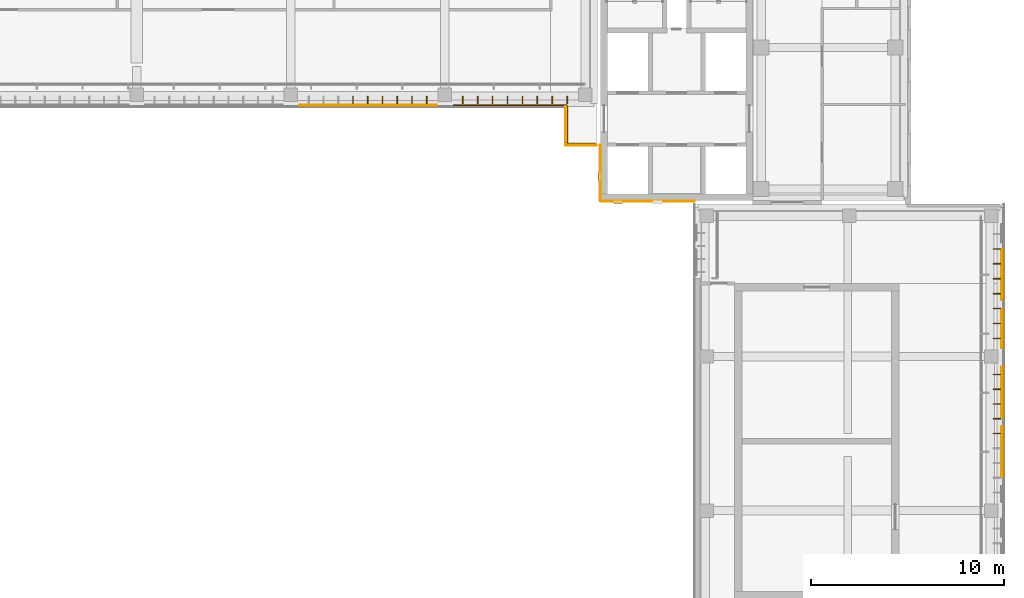
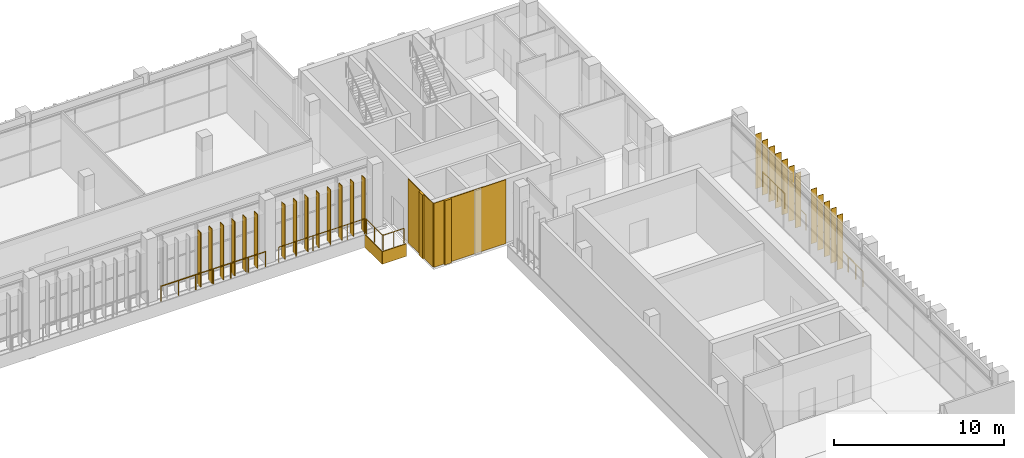
# One storey, part 71 of 73: 26 shading devices, 6 coverings, 6 railings.
"""IFC4 building model written with IfcOpenShell, lengths in metres."""

from ifc_helpers import new_model, si_unit, direction, frame, frame_2d, origin, origin_2d, place, context, subcontext, project, spatial, rectangle, circle, extrude, material, layer, layer_set, type_object, element, save


model = new_model("IFC4")

# Units and contexts
model_context = context("Model", 3, precision=1e-05, world=origin(), true_north=direction((0.0, 1.0)))
body_context = subcontext(model_context, "Body", "Model", "MODEL_VIEW")
ifc_project = project(units=[si_unit("LENGTHUNIT", "METRE"), si_unit("AREAUNIT", "SQUARE_METRE"), si_unit("VOLUMEUNIT", "CUBIC_METRE"), si_unit("PLANEANGLEUNIT", "RADIAN"), si_unit("MASSUNIT", "GRAM", prefix="KILO")], contexts=[model_context])

# Site, building, storey
site_placement = place(None, origin())
site = spatial("IfcSite", under=ifc_project, at=site_placement, CompositionType="ELEMENT")
building_placement = place(site_placement, origin())
building = spatial("IfcBuilding", under=site, at=building_placement, Name="Lantern Court Media Centre", CompositionType="ELEMENT")
storey_placement = place(building_placement, frame((0.0, 0.0, 24.0)))
storey = spatial("IfcBuildingStorey", under=building, at=storey_placement, Name="L05", CompositionType="ELEMENT", Elevation=24.0)

# Railings
ifc_material_1 = material(Name="Powder-coated steel", Category="steel")
railing_type = type_object("IfcRailingType", Name="Floor edge guard 1100", PredefinedType="GUARDRAIL", material=ifc_material_1)
railing_1_placement = place(storey_placement, frame((71.576904296875, 101.06005859375, 0.0)))
element("IfcRailing", 1, at=railing_1_placement, inside=storey, type_object=railing_type, Name="L05 edge guard 185", PredefinedType="GUARDRAIL", context=body_context, shape_type="SweptSolid", body=[
    extrude(circle(Radius=0.02392578125, at=origin_2d()), frame((0.0, 0.0, 1.076171875), z_axis=(-1.0, 0.0, 0.0), x_axis=(0.0, -1.0, 0.0)), (0.0, 0.0, 1.0), 7.097900390625),
    extrude(circle(Radius=0.02099609375, at=origin_2d()), origin(), (0.0, 0.0, 1.0), 1.052001953125),
    extrude(circle(Radius=0.02099609375, at=origin_2d()), frame((-1.18310546875, 0.0, 0.0)), (0.0, 0.0, 1.0), 1.052001953125),
    extrude(circle(Radius=0.02099609375, at=origin_2d()), frame((-2.365966796875, 0.0, 0.0)), (0.0, 0.0, 1.0), 1.052001953125),
    extrude(circle(Radius=0.02099609375, at=origin_2d()), frame((-3.548828125, 0.0, 0.0)), (0.0, 0.0, 1.0), 1.052001953125),
    extrude(circle(Radius=0.02099609375, at=origin_2d()), frame((-4.73193359375, 0.0, 0.0)), (0.0, 0.0, 1.0), 1.052001953125),
    extrude(circle(Radius=0.02099609375, at=origin_2d()), frame((-5.9150390625, 0.0, 0.0)), (0.0, 0.0, 1.0), 1.052001953125),
    extrude(circle(Radius=0.02099609375, at=origin_2d()), frame((-7.097900390625, 0.0, 0.0)), (0.0, 0.0, 1.0), 1.052001953125),
])
railing_2_placement = place(storey_placement, frame((79.803955078125, 99.06005859375, 0.0)))
element("IfcRailing", 2, at=railing_2_placement, inside=storey, type_object=railing_type, Name="L05 edge guard 188", PredefinedType="GUARDRAIL", context=body_context, shape_type="SweptSolid", body=[
    extrude(circle(Radius=0.02392578125, at=origin_2d()), frame((0.0, 0.0, 1.076171875), z_axis=(-1.0, 0.0, 0.0), x_axis=(0.0, -1.0, 0.0)), (0.0, 0.0, 1.0), 1.39892578125),
    extrude(circle(Radius=0.02392578125, at=origin_2d()), frame((-1.39892578125, 0.0, 1.076171875), z_axis=(-0.626354171064, 0.779538615074, 0.0), x_axis=(-0.779538615074, -0.626354171064, 0.0)), (0.0, 0.0, 1.0), 0.07177734375),
    extrude(circle(Radius=0.02392578125, at=origin_2d()), frame((-1.44384765625, 0.055908203125, 1.076171875), z_axis=(0.0, 1.0, 0.0), x_axis=(-1.0, 0.0, 0.0)), (0.0, 0.0, 1.0), 1.799072265625),
    extrude(circle(Radius=0.02392578125, at=origin_2d()), frame((-1.44384765625, 1.85498046875, 1.076171875), z_axis=(-0.0415289343, 0.999137301684, 0.0), x_axis=(-0.999137301684, -0.0415289343, 0.0)), (0.0, 0.0, 1.0), 0.099853515625),
    extrude(circle(Radius=0.02392578125, at=origin_2d()), frame((-1.447998046875, 1.954833984375, 1.076171875), z_axis=(-0.873536012347, 0.486759524953, 0.0), x_axis=(-0.486759524953, -0.873536012347, 0.0)), (0.0, 0.0, 1.0), 0.0927734375),
    extrude(circle(Radius=0.02392578125, at=origin_2d()), frame((-1.529052734375, 2.0, 1.076171875), z_axis=(-1.0, 0.0, 0.0), x_axis=(0.0, -1.0, 0.0)), (0.0, 0.0, 1.0), 5.7978515625),
    extrude(circle(Radius=0.02099609375, at=origin_2d()), origin(), (0.0, 0.0, 1.0), 1.052001953125),
    extrude(circle(Radius=0.02099609375, at=origin_2d()), frame((-0.699462890625, 0.0, 0.0)), (0.0, 0.0, 1.0), 1.052001953125),
    extrude(circle(Radius=0.02099609375, at=origin_2d()), frame((-1.39892578125, 0.0, 0.0)), (0.0, 0.0, 1.0), 1.052001953125),
    extrude(circle(Radius=0.02099609375, at=origin_2d()), frame((-1.44384765625, 0.055908203125, 0.0)), (0.0, 0.0, 1.0), 1.052001953125),
    extrude(circle(Radius=0.02099609375, at=origin_2d()), frame((-1.44384765625, 0.95556640625, 0.0)), (0.0, 0.0, 1.0), 1.052001953125),
    extrude(circle(Radius=0.02099609375, at=origin_2d()), frame((-1.44384765625, 1.85498046875, 0.0)), (0.0, 0.0, 1.0), 1.052001953125),
    extrude(circle(Radius=0.02099609375, at=origin_2d()), frame((-1.447998046875, 1.954833984375, 0.0)), (0.0, 0.0, 1.0), 1.052001953125),
    extrude(circle(Radius=0.02099609375, at=origin_2d()), frame((-1.529052734375, 2.0, 0.0)), (0.0, 0.0, 1.0), 1.052001953125),
    extrude(circle(Radius=0.02099609375, at=origin_2d()), frame((-2.688720703125, 2.0, 0.0)), (0.0, 0.0, 1.0), 1.052001953125),
    extrude(circle(Radius=0.02099609375, at=origin_2d()), frame((-3.84814453125, 2.0, 0.0)), (0.0, 0.0, 1.0), 1.052001953125),
    extrude(circle(Radius=0.02099609375, at=origin_2d()), frame((-5.0078125, 2.0, 0.0)), (0.0, 0.0, 1.0), 1.052001953125),
    extrude(circle(Radius=0.02099609375, at=origin_2d()), frame((-6.167236328125, 2.0, 0.0)), (0.0, 0.0, 1.0), 1.052001953125),
    extrude(circle(Radius=0.02099609375, at=origin_2d()), frame((-7.326904296875, 2.0, 0.0)), (0.0, 0.0, 1.0), 1.052001953125),
])
railing_3_placement = place(storey_placement, frame((100.93994140625, 93.5419921875, 0.0)))
element("IfcRailing", 3, at=railing_3_placement, inside=storey, type_object=railing_type, Name="L05 edge guard 196", PredefinedType="GUARDRAIL", context=body_context, shape_type="SweptSolid", body=[
    extrude(circle(Radius=0.02392578125, at=origin_2d()), frame((0.0, 0.0, 1.076171875), z_axis=(0.0, -1.0, 0.0), x_axis=(1.0, 0.0, 0.0)), (0.0, 0.0, 1.0), 2.597900390625),
    extrude(circle(Radius=0.02099609375, at=origin_2d()), origin(), (0.0, 0.0, 1.0), 1.052001953125),
    extrude(circle(Radius=0.02099609375, at=origin_2d()), frame((0.0, -0.865966796875, 0.0)), (0.0, 0.0, 1.0), 1.052001953125),
    extrude(circle(Radius=0.02099609375, at=origin_2d()), frame((0.0, -1.73193359375, 0.0)), (0.0, 0.0, 1.0), 1.052001953125),
    extrude(circle(Radius=0.02099609375, at=origin_2d()), frame((0.0, -2.597900390625, 0.0)), (0.0, 0.0, 1.0), 1.052001953125),
])
railing_4_placement = place(storey_placement, frame((100.93994140625, 90.444091796875, 0.0)))
element("IfcRailing", 4, at=railing_4_placement, inside=storey, type_object=railing_type, Name="L05 edge guard 197", PredefinedType="GUARDRAIL", context=body_context, shape_type="SweptSolid", body=[
    extrude(circle(Radius=0.02392578125, at=origin_2d()), frame((0.0, 0.0, 1.076171875), z_axis=(0.0, -1.0, 0.0), x_axis=(1.0, 0.0, 0.0)), (0.0, 0.0, 1.0), 1.998046875),
    extrude(circle(Radius=0.02099609375, at=origin_2d()), origin(), (0.0, 0.0, 1.0), 1.052001953125),
    extrude(circle(Radius=0.02099609375, at=origin_2d()), frame((0.0, -0.9990234375, 0.0)), (0.0, 0.0, 1.0), 1.052001953125),
    extrude(circle(Radius=0.02099609375, at=origin_2d()), frame((0.0, -1.998046875, 0.0)), (0.0, 0.0, 1.0), 1.052001953125),
])
railing_5_placement = place(storey_placement, frame((100.93994140625, 87.447021484375, 0.0)))
element("IfcRailing", 5, at=railing_5_placement, inside=storey, type_object=railing_type, Name="L05 edge guard 198", PredefinedType="GUARDRAIL", context=body_context, shape_type="SweptSolid", body=[
    extrude(circle(Radius=0.02392578125, at=origin_2d()), frame((0.0, 0.0, 1.076171875), z_axis=(0.0, -1.0, 0.0), x_axis=(1.0, 0.0, 0.0)), (0.0, 0.0, 1.0), 2.597900390625),
    extrude(circle(Radius=0.02099609375, at=origin_2d()), origin(), (0.0, 0.0, 1.0), 1.052001953125),
    extrude(circle(Radius=0.02099609375, at=origin_2d()), frame((0.0, -0.865966796875, 0.0)), (0.0, 0.0, 1.0), 1.052001953125),
    extrude(circle(Radius=0.02099609375, at=origin_2d()), frame((0.0, -1.73193359375, 0.0)), (0.0, 0.0, 1.0), 1.052001953125),
    extrude(circle(Radius=0.02099609375, at=origin_2d()), frame((0.0, -2.597900390625, 0.0)), (0.0, 0.0, 1.0), 1.052001953125),
])
railing_6_placement = place(storey_placement, frame((100.93994140625, 84.35009765625, 0.0)))
element("IfcRailing", 6, at=railing_6_placement, inside=storey, type_object=railing_type, Name="L05 edge guard 199", PredefinedType="GUARDRAIL", context=body_context, shape_type="SweptSolid", body=[
    extrude(circle(Radius=0.02392578125, at=origin_2d()), frame((0.0, 0.0, 1.076171875), z_axis=(0.0, -1.0, 0.0), x_axis=(1.0, 0.0, 0.0)), (0.0, 0.0, 1.0), 2.59814453125),
    extrude(circle(Radius=0.02099609375, at=origin_2d()), origin(), (0.0, 0.0, 1.0), 1.052001953125),
    extrude(circle(Radius=0.02099609375, at=origin_2d()), frame((0.0, -0.865966796875, 0.0)), (0.0, 0.0, 1.0), 1.052001953125),
    extrude(circle(Radius=0.02099609375, at=origin_2d()), frame((0.0, -1.732177734375, 0.0)), (0.0, 0.0, 1.0), 1.052001953125),
    extrude(circle(Radius=0.02099609375, at=origin_2d()), frame((0.0, -2.59814453125, 0.0)), (0.0, 0.0, 1.0), 1.052001953125),
])

# Coverings
ifc_material_2 = material(Name="White glass-fibre reinforced cement cladding", Category="concrete")
ifc_layer_1 = layer(ifc_material_2, 0.050048828125)
ifc_layer_set_1 = layer_set([ifc_layer_1], Name="White glass-fibre reinforced cement cladding")
covering_type_1 = type_object("IfcCoveringType", Name="Floor-edge band 50", PredefinedType="CLADDING", material=ifc_layer_set_1)
covering_1_placement = place(storey_placement, frame((78.300048828125, 98.97509765625, -0.89990234375), z_axis=(0.0, 0.0, 1.0), x_axis=(1.0, 0.0, 0.0)))
element("IfcCovering", 7, at=covering_1_placement, inside=storey, type_object=covering_type_1, Name="Floor-edge band N inner L05", PredefinedType="CLADDING", context=body_context, shape_type="SweptSolid", body=[
    extrude(rectangle(XDim=1.599853515625, YDim=0.050048828125, at=frame_2d((0.7998046875, 0.0))), origin(), (0.0, 0.0, 1.0), 0.89990234375),
])
covering_2_placement = place(storey_placement, frame((78.27490234375, 101.0, -0.89990234375), z_axis=(0.0, 0.0, 1.0), x_axis=(0.0, -1.0, 0.0)))
element("IfcCovering", 8, at=covering_2_placement, inside=storey, type_object=covering_type_1, Name="Floor-edge band N inner L05", PredefinedType="CLADDING", context=body_context, shape_type="SweptSolid", body=[
    extrude(rectangle(XDim=2.050048828125, YDim=0.050048828125, at=frame_2d((1.02490234375, 0.0))), origin(), (0.0, 0.0, 1.0), 0.89990234375),
])
ifc_material_3 = material(Name="Honed limestone cladding", Category="masonry")
ifc_layer_2 = layer(ifc_material_3, 0.050048828125)
ifc_layer_set_2 = layer_set([ifc_layer_2], Name="Honed limestone cladding")
covering_type_2 = type_object("IfcCoveringType", Name="Limestone cladding panel 50", PredefinedType="CLADDING", material=ifc_layer_set_2)
covering_3_placement = place(storey_placement, frame((80.074951171875, 96.10009765625, 0.0), z_axis=(0.0, 0.0, 1.0), x_axis=(0.0, 1.0, 0.0)))
element("IfcCovering", 9, at=covering_3_placement, inside=storey, type_object=covering_type_2, Name="Limestone joint cladding N-NE L05", PredefinedType="CLADDING", context=body_context, shape_type="SweptSolid", body=[
    extrude(rectangle(XDim=2.89990234375, YDim=0.050048828125, at=frame_2d((1.449951171875, 0.0))), origin(), (0.0, 0.0, 1.0), 4.580078125),
])
covering_4_placement = place(storey_placement, frame((80.10009765625, 96.074951171875, 0.0), z_axis=(0.0, 0.0, 1.0), x_axis=(1.0, 0.0, 0.0)))
element("IfcCovering", 10, at=covering_4_placement, inside=storey, type_object=covering_type_2, Name="Limestone joint cladding E-NE L05", PredefinedType="CLADDING", context=body_context, shape_type="SweptSolid", body=[
    extrude(rectangle(XDim=4.89990234375, YDim=0.050048828125, at=frame_2d((2.449951171875, 0.0))), origin(), (0.0, 0.0, 1.0), 4.580078125),
])
ifc_layer_3 = layer(ifc_material_3, 0.14990234375)
ifc_layer_set_3 = layer_set([ifc_layer_3], Name="Honed limestone cladding")
covering_type_3 = type_object("IfcCoveringType", Name="Limestone pilaster cladding 150", PredefinedType="CLADDING", material=ifc_layer_set_3)
covering_5_placement = place(storey_placement, frame((80.77490234375, 96.02490234375, 0.0), z_axis=(0.0, 0.0, 1.0), x_axis=(1.0, 0.0, 0.0)))
element("IfcCovering", 11, at=covering_5_placement, inside=storey, type_object=covering_type_3, Name="Limestone pilaster rib", PredefinedType="CLADDING", context=body_context, shape_type="SweptSolid", body=[
    extrude(rectangle(XDim=0.4501953125, YDim=0.14990234375, at=frame_2d((0.22509765625, 0.0))), origin(), (0.0, 0.0, 1.0), 4.580078125),
])
covering_6_placement = place(storey_placement, frame((80.02490234375, 97.125, 0.0), z_axis=(0.0, 0.0, 1.0), x_axis=(0.0, 1.0, 0.0)))
element("IfcCovering", 12, at=covering_6_placement, inside=storey, type_object=covering_type_3, Name="Limestone pilaster rib", PredefinedType="CLADDING", context=body_context, shape_type="SweptSolid", body=[
    extrude(rectangle(XDim=0.449951171875, YDim=0.14990234375, at=frame_2d((0.22509765625, 0.0))), origin(), (0.0, 0.0, 1.0), 4.580078125),
])

# Shading devices
ifc_material_4 = material(Name="Bronze anodised aluminium louvre", Category="aluminium")
ifc_layer_4 = layer(ifc_material_4, 0.0400390625)
ifc_layer_set_4 = layer_set([ifc_layer_4], Name="Bronze anodised aluminium louvre")
shading_device_type = type_object("IfcShadingDeviceType", Name="Vertical louvre 40x400 under beam", PredefinedType="USERDEFINED", material=ifc_layer_set_4)
for number, where, z_axis, x_axis, name in (
    (13, (67.2333984375, 101.320068359375, 0.0), (0.0, 0.0, 1.0), (1.0, 0.0, 0.0), "Vertical louvre N inner L05"),
    (14, (68.0, 101.320068359375, 0.0), (0.0, 0.0, 1.0), (1.0, 0.0, 0.0), "Vertical louvre N inner L05"),
    (15, (68.7666015625, 101.320068359375, 0.0), (0.0, 0.0, 1.0), (1.0, 0.0, 0.0), "Vertical louvre N inner L05"),
    (16, (69.533447265625, 101.320068359375, 0.0), (0.0, 0.0, 1.0), (1.0, 0.0, 0.0), "Vertical louvre N inner L05"),
    (17, (70.300048828125, 101.320068359375, 0.0), (0.0, 0.0, 1.0), (1.0, 0.0, 0.0), "Vertical louvre N inner L05"),
    (18, (71.066650390625, 101.320068359375, 0.0), (0.0, 0.0, 1.0), (1.0, 0.0, 0.0), "Vertical louvre N inner L05"),
    (19, (72.9375, 101.320068359375, 0.0), (0.0, 0.0, 1.0), (1.0, 0.0, 0.0), "Vertical louvre N inner L05"),
    (20, (73.71240234375, 101.320068359375, 0.0), (0.0, 0.0, 1.0), (1.0, 0.0, 0.0), "Vertical louvre N inner L05"),
    (21, (74.487548828125, 101.320068359375, 0.0), (0.0, 0.0, 1.0), (1.0, 0.0, 0.0), "Vertical louvre N inner L05"),
    (22, (75.262451171875, 101.320068359375, 0.0), (0.0, 0.0, 1.0), (1.0, 0.0, 0.0), "Vertical louvre N inner L05"),
    (23, (76.03759765625, 101.320068359375, 0.0), (0.0, 0.0, 1.0), (1.0, 0.0, 0.0), "Vertical louvre N inner L05"),
    (24, (76.8125, 101.320068359375, 0.0), (0.0, 0.0, 1.0), (1.0, 0.0, 0.0), "Vertical louvre N inner L05"),
    (25, (77.58740234375, 101.320068359375, 0.0), (0.0, 0.0, 1.0), (1.0, 0.0, 0.0), "Vertical louvre N inner L05"),
    (26, (78.362548828125, 101.320068359375, 0.0), (0.0, 0.0, 1.0), (1.0, 0.0, 0.0), "Vertical louvre N inner L05"),
):
    element("IfcShadingDevice", number, at=place(storey_placement, frame(where, z_axis=z_axis, x_axis=x_axis)), inside=storey, type_object=shading_device_type, Name=name, ObjectType="VERTICAL LOUVRE", PredefinedType="USERDEFINED", context=body_context, shape_type="SweptSolid", body=[
        extrude(rectangle(XDim=0.0400390625, YDim=0.39990234375, at=origin_2d()), origin(), (0.0, 0.0, 1.0), 3.89990234375),
    ])
for number, where, z_axis, x_axis, name in (
    (27, (100.679931640625, 84.0, 0.0), (0.0, 0.0, 1.0), (1.0, 0.0, 0.0), "Vertical louvre E outer L05"),
    (28, (100.679931640625, 84.7666015625, 0.0), (0.0, 0.0, 1.0), (1.0, 0.0, 0.0), "Vertical louvre E outer L05"),
    (29, (100.679931640625, 85.533447265625, 0.0), (0.0, 0.0, 1.0), (1.0, 0.0, 0.0), "Vertical louvre E outer L05"),
    (30, (100.679931640625, 86.300048828125, 0.0), (0.0, 0.0, 1.0), (1.0, 0.0, 0.0), "Vertical louvre E outer L05"),
    (31, (100.679931640625, 87.066650390625, 0.0), (0.0, 0.0, 1.0), (1.0, 0.0, 0.0), "Vertical louvre E outer L05"),
    (32, (100.679931640625, 88.9375, 0.0), (0.0, 0.0, 1.0), (1.0, 0.0, 0.0), "Vertical louvre E outer L05"),
    (33, (100.679931640625, 89.71240234375, 0.0), (0.0, 0.0, 1.0), (1.0, 0.0, 0.0), "Vertical louvre E outer L05"),
    (34, (100.679931640625, 90.487548828125, 0.0), (0.0, 0.0, 1.0), (1.0, 0.0, 0.0), "Vertical louvre E outer L05"),
    (35, (100.679931640625, 91.262451171875, 0.0), (0.0, 0.0, 1.0), (1.0, 0.0, 0.0), "Vertical louvre E outer L05"),
    (36, (100.679931640625, 92.03759765625, 0.0), (0.0, 0.0, 1.0), (1.0, 0.0, 0.0), "Vertical louvre E outer L05"),
    (37, (100.679931640625, 92.8125, 0.0), (0.0, 0.0, 1.0), (1.0, 0.0, 0.0), "Vertical louvre E outer L05"),
    (38, (100.679931640625, 93.58740234375, 0.0), (0.0, 0.0, 1.0), (1.0, 0.0, 0.0), "Vertical louvre E outer L05"),
):
    element("IfcShadingDevice", number, at=place(storey_placement, frame(where, z_axis=z_axis, x_axis=x_axis)), inside=storey, type_object=shading_device_type, Name=name, ObjectType="VERTICAL LOUVRE", PredefinedType="USERDEFINED", context=body_context, shape_type="SweptSolid", body=[
        extrude(rectangle(XDim=0.39990234375, YDim=0.0400390625, at=origin_2d()), origin(), (0.0, 0.0, 1.0), 3.89990234375),
    ])

save(model, "model.ifc")
